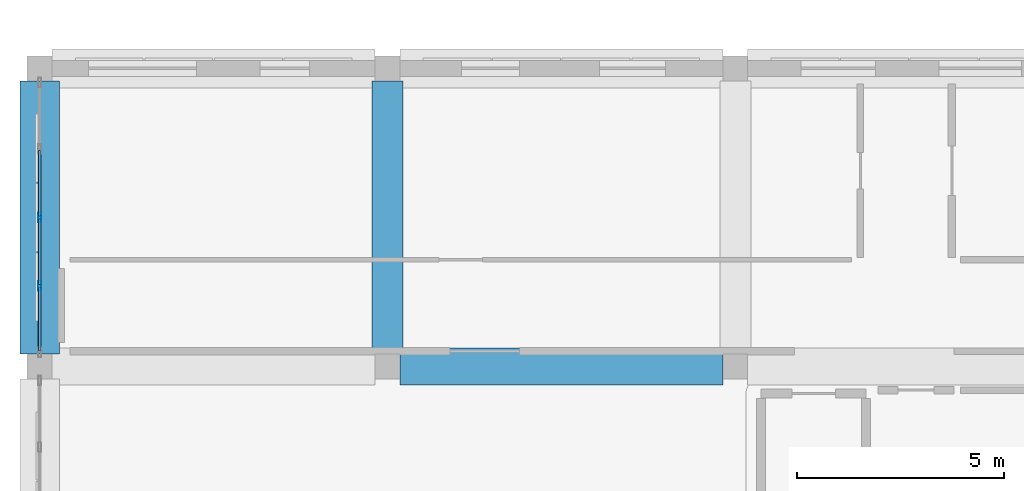
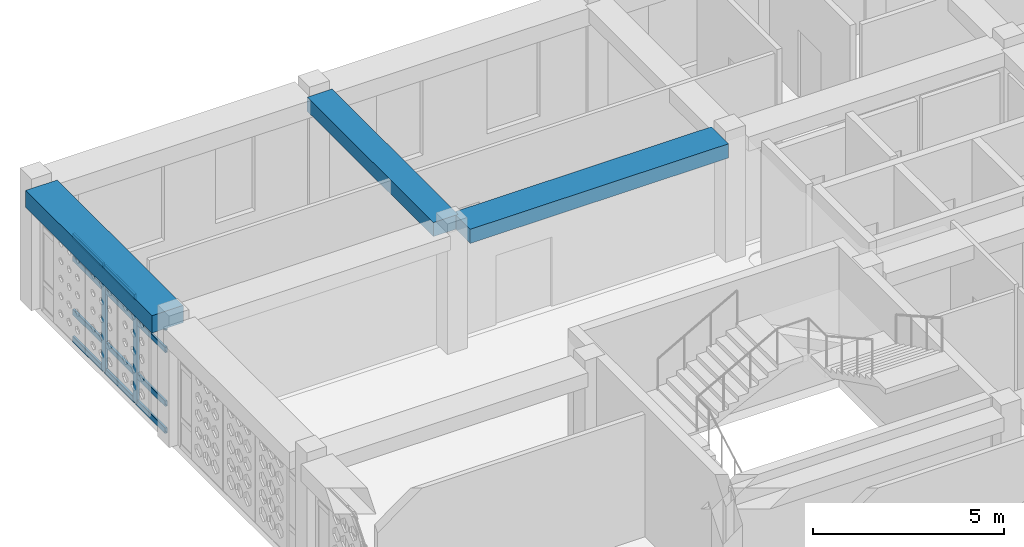
# One storey, part 10 of 48: 14 members, 3 beams, 1 element without a shape of its own.
"""IFC4 building model written with IfcOpenShell, lengths in metres."""

import ifcopenshell
import ifcopenshell.guid

model = None  # the IFC model being written
_history = None  # IfcOwnerHistory: only IFC2X3 demands one
_inside = {}  # id of a spatial element -> (the spatial element, [elements in it])
_under = {}  # id of a project, library or spatial element -> (it, [spatial elements below it])
_declared = {}  # id of a project -> (the project, [libraries it declares])
_typed = {}  # id of a type object -> (the type object, [elements of that type])
_made_of = {}  # id of a material, layer set ... -> (it, [elements and type objects made of it])


def new_model(schema):
    """Start an empty IFC model of exactly this schema.

    Asked for "IFC4X3", IfcOpenShell would pick the latest addendum, in which some entities
    have other attributes; the version numbers below select the first issue.
    IFC2X3 requires an IfcOwnerHistory on every rooted entity: one is made here for all.
    """
    global model, _history
    if schema == "IFC4X3":
        model = ifcopenshell.file(schema_version=(4, 3, 0, 0))
    else:
        model = ifcopenshell.file(schema=schema)
    _inside.clear()
    _under.clear()
    _declared.clear()
    _typed.clear()
    _made_of.clear()
    _history = None
    if model.schema == "IFC2X3":
        org = make("IfcOrganization", Name="unknown")
        user = make(
            "IfcPersonAndOrganization",
            ThePerson=make("IfcPerson", FamilyName="unknown"),
            TheOrganization=org,
        )
        app = make(
            "IfcApplication",
            ApplicationDeveloper=org,
            Version="unknown",
            ApplicationFullName="unknown",
            ApplicationIdentifier="unknown",
        )
        _history = make(
            "IfcOwnerHistory",
            OwningUser=user,
            OwningApplication=app,
            ChangeAction="ADDED",
            CreationDate=0,
        )
    return model


def make(cls, **values):
    """One entity of the class cls with the attributes given. An attribute that is None is left unset."""
    return model.create_entity(
        cls, **{name: value for name, value in values.items() if value is not None}
    )


def rooted(cls, **values):
    """An entity with a GlobalId (a new one), such as an element, a storey or a relation."""
    return make(cls, GlobalId=ifcopenshell.guid.new(), OwnerHistory=_history, **values)


def si_unit(unit_type, name, prefix=None):
    """IfcSIUnit, for example si_unit("LENGTHUNIT", "METRE", prefix="MILLI")."""
    return make("IfcSIUnit", UnitType=unit_type, Prefix=prefix, Name=name)


def derived_unit(unit_type, elements):
    """IfcDerivedUnit: a product of units, each with its exponent."""
    return make(
        "IfcDerivedUnit",
        Elements=[
            make("IfcDerivedUnitElement", Unit=unit, Exponent=power)
            for unit, power in elements
        ],
        UnitType=unit_type,
    )


def assignment(units):
    """IfcUnitAssignment: the units of a project."""
    return None if units is None else make("IfcUnitAssignment", Units=units)


def point(xyz):
    """IfcCartesianPoint."""
    return None if xyz is None else make("IfcCartesianPoint", Coordinates=xyz)


def direction(xyz):
    """IfcDirection."""
    return None if xyz is None else make("IfcDirection", DirectionRatios=xyz)


def frame(location, z_axis=None, x_axis=None):
    """IfcAxis2Placement3D, a coordinate frame: its origin and axes. An axis left out is left unset."""
    return make(
        "IfcAxis2Placement3D",
        Location=point(location),
        Axis=direction(z_axis),
        RefDirection=direction(x_axis),
    )


def frame_2d(location, x_axis=None):
    """IfcAxis2Placement2D, a coordinate frame in the plane: its origin and x axis."""
    return make(
        "IfcAxis2Placement2D", Location=point(location), RefDirection=direction(x_axis)
    )


def origin():
    """The frame at (0, 0, 0) with its axes left unset."""
    return frame((0.0, 0.0, 0.0))


def origin_2d():
    """The frame at (0, 0) in the plane with its x axis left unset."""
    return frame_2d((0.0, 0.0))


def place(relative_to, where):
    """IfcLocalPlacement: puts the frame where relative to a parent placement (None: the world)."""
    return make(
        "IfcLocalPlacement", PlacementRelTo=relative_to, RelativePlacement=where
    )


def context(
    kind, dimensions, precision=None, world=None, true_north=None, identifier=None
):
    """IfcGeometricRepresentationContext, for example the 3D "Model" context."""
    return make(
        "IfcGeometricRepresentationContext",
        ContextIdentifier=identifier,
        ContextType=kind,
        CoordinateSpaceDimension=dimensions,
        Precision=precision,
        WorldCoordinateSystem=world,
        TrueNorth=true_north,
    )


def subcontext(parent, identifier, kind, view, scale=None):
    """IfcGeometricRepresentationSubContext, for example "Body" below "Model"."""
    return make(
        "IfcGeometricRepresentationSubContext",
        ContextIdentifier=identifier,
        ContextType=kind,
        ParentContext=parent,
        TargetScale=scale,
        TargetView=view,
    )


def project(units=None, contexts=None):
    """IfcProject with its units and contexts."""
    return rooted(
        "IfcProject",
        Name="project",
        RepresentationContexts=contexts,
        UnitsInContext=assignment(units),
    )


def spatial(cls, under=None, at=None, **own):
    """A site, building, storey or space (cls), placed at a placement, below another one or the project."""
    s = rooted(cls, ObjectPlacement=at, **own)
    if under is not None:
        _under.setdefault(under.id(), (under, []))[1].append(s)
    return s


def profile(cls, at=None, kind="AREA", **sizes):
    """A parametric profile (cls). Its sizes go by their IFC names, for example OverallWidth=200.0."""
    return make(cls, ProfileType=kind, Position=at, **sizes)


def rectangle(**sizes):
    """IfcRectangleProfileDef."""
    return profile("IfcRectangleProfileDef", **sizes)


def hollow_rectangle(**sizes):
    """IfcRectangleHollowProfileDef."""
    return profile("IfcRectangleHollowProfileDef", **sizes)


def extrude(swept, where, along, depth):
    """IfcExtrudedAreaSolid: the profile swept, set in the frame where, extruded along a direction by depth."""
    return make(
        "IfcExtrudedAreaSolid",
        SweptArea=swept,
        Position=where,
        ExtrudedDirection=direction(along),
        Depth=depth,
    )


def shape(context_of_items, identifier, shape_type, items):
    """IfcShapeRepresentation: the items that make up one representation, for example the "Body"."""
    return make(
        "IfcShapeRepresentation",
        ContextOfItems=context_of_items,
        RepresentationIdentifier=identifier,
        RepresentationType=shape_type,
        Items=items,
    )


def material(Name=None, Category=None):
    """IfcMaterial."""
    return make("IfcMaterial", Name=Name, Category=Category)


def material_profile(
    of_material, cross_section, Name=None, Category=None, Priority=None
):
    """IfcMaterialProfile: a cross section and its material."""
    return make(
        "IfcMaterialProfile",
        Name=Name,
        Material=of_material,
        Profile=cross_section,
        Priority=Priority,
        Category=Category,
    )


def profile_set(profiles, Name=None, composite=None):
    """IfcMaterialProfileSet."""
    return make(
        "IfcMaterialProfileSet",
        Name=Name,
        MaterialProfiles=profiles,
        CompositeProfile=composite,
    )


def made_of(thing, what):
    """Note that an element or type object is made of a material, layer set ...; save() writes the relation."""
    if what is not None:
        _made_of.setdefault(what.id(), (what, []))[1].append(thing)
    return thing


def type_object(cls, material=None, **own):
    """A type object (cls), such as IfcWallType, which elements share."""
    return made_of(rooted(cls, **own), material)


def element(
    cls,
    number,
    at=None,
    inside=None,
    cuts=None,
    type_object=None,
    material=None,
    context=None,
    identifier="Body",
    shape_type=None,
    held_by="IfcProductDefinitionShape",
    body=None,
    shapes=None,
    **own,
):
    """One element of the class cls, such as IfcWall. Its Tag is "e" and its number.

    at: its placement. inside: the storey or other place that contains it. cuts: it is an
    opening in that element (IfcRelVoidsElement). A single representation is given by context,
    identifier, shape_type and body (its items); several are given by shapes. held_by: the class
    of the entity that holds the representations. save() writes the other relations.
    """
    e = rooted(cls, Tag="e%d" % number, ObjectPlacement=at, **own)
    if body is not None:
        shapes = [shape(context, identifier, shape_type, body)]
    if shapes is not None:
        e.Representation = make(held_by, Representations=shapes)
    if inside is not None:
        _inside.setdefault(inside.id(), (inside, []))[1].append(e)
    if cuts is not None:
        rooted(
            "IfcRelVoidsElement", RelatingBuildingElement=cuts, RelatedOpeningElement=e
        )
    if type_object is not None:
        _typed.setdefault(type_object.id(), (type_object, []))[1].append(e)
    return made_of(e, material)


def aggregate(whole, parts):
    """IfcRelAggregates: a whole, such as a stair, and the parts it consists of."""
    return rooted("IfcRelAggregates", RelatingObject=whole, RelatedObjects=parts)


def save(model, path):
    """Write the relations noted so far, then the file.

    IfcRelAggregates (storeys below a building ...), IfcRelContainedInSpatialStructure (elements
    in a storey), IfcRelDefinesByType, IfcRelAssociatesMaterial and IfcRelDeclares: one each for
    every whole, place, type object, material and project.
    """
    for whole, parts in _under.values():
        aggregate(whole, parts)
    for where, things in _inside.values():
        rooted(
            "IfcRelContainedInSpatialStructure",
            RelatedElements=things,
            RelatingStructure=where,
        )
    for kind, things in _typed.values():
        rooted("IfcRelDefinesByType", RelatedObjects=things, RelatingType=kind)
    for what, things in _made_of.values():
        rooted("IfcRelAssociatesMaterial", RelatedObjects=things, RelatingMaterial=what)
    for by, libraries in _declared.values():
        rooted("IfcRelDeclares", RelatingContext=by, RelatedDefinitions=libraries)
    model.write(path)


model = new_model("IFC4")

# Units and contexts
model_context = context("Model", 3, precision=1e-05, world=origin(), true_north=direction((0.0, 1.0)))
body_context = subcontext(model_context, "Body", "Model", "MODEL_VIEW")
ifc_project = project(units=[si_unit("LENGTHUNIT", "METRE"), si_unit("AREAUNIT", "SQUARE_METRE"), si_unit("VOLUMEUNIT", "CUBIC_METRE"), si_unit("PLANEANGLEUNIT", "RADIAN"), si_unit("MASSUNIT", "GRAM", prefix="KILO"), derived_unit("THERMALTRANSMITTANCEUNIT", [(si_unit("POWERUNIT", "WATT"), 1), (si_unit("LENGTHUNIT", "METRE"), -2), (si_unit("THERMODYNAMICTEMPERATUREUNIT", "KELVIN"), -1)])], contexts=[model_context])

# Site, building, storey
site_placement = place(None, origin())
site = spatial("IfcSite", under=ifc_project, at=site_placement, CompositionType="ELEMENT")
building_placement = place(site_placement, origin())
building = spatial("IfcBuilding", under=site, at=building_placement, Name="Veybourne Emporium", CompositionType="ELEMENT")
storey_placement = place(building_placement, frame((0.0, 0.0, 27.89990234375)))
storey = spatial("IfcBuildingStorey", under=building, at=storey_placement, Name="L06", CompositionType="ELEMENT", Elevation=27.89990234375)

# Curtain wall, members
ifc_material_1 = material(Name="Patinated Architectural Bronze", Category="bronze")
curtain_wall_type = type_object("IfcCurtainWallType", Name="CWSystem_CWS-14", PredefinedType="NOTDEFINED", material=ifc_material_1)
curtain_wall_placement = place(storey_placement, origin())
curtain_wall = element("IfcCurtainWall", 1, at=curtain_wall_placement, inside=storey, type_object=curtain_wall_type, Name="L06 bronze glazed curtain wall CWS-14 (007)", PredefinedType="NOTDEFINED")
ifc_material_profile_1 = material_profile(ifc_material_1, hollow_rectangle(XDim=0.074951171875, YDim=0.22998046875, WallThickness=0.0048828125, InnerFilletRadius=0.007568359375, OuterFilletRadius=0.012451171875, at=origin_2d()), Name="CWM 75x230x5")
ifc_profile_set_1 = profile_set([ifc_material_profile_1], Name="Patinated Architectural Bronze")
member_type_1 = type_object("IfcMemberType", Name="CWMullion_CW-M2", PredefinedType="MULLION", material=ifc_profile_set_1)
member_1_placement = place(storey_placement, frame((0.0, 45.14990234375, 0.0), z_axis=(0.0, 0.0, 1.0), x_axis=(-1.0, 0.0, 0.0)))
member_1 = element("IfcMember", 2, at=member_1_placement, type_object=member_type_1, Name="CWS-14 mullion 2", PredefinedType="MULLION", context=body_context, shape_type="SweptSolid", body=[
    extrude(hollow_rectangle(XDim=0.074951171875, YDim=0.22998046875, WallThickness=0.0048828125, InnerFilletRadius=0.007568359375, OuterFilletRadius=0.012451171875, at=origin_2d()), origin(), (0.0, 0.0, 1.0), 3.360107421875),
])
member_2_placement = place(storey_placement, frame((0.0, 46.800048828125, 0.0), z_axis=(0.0, 0.0, 1.0), x_axis=(-1.0, 0.0, 0.0)))
member_2 = element("IfcMember", 3, at=member_2_placement, type_object=member_type_1, Name="CWS-14 mullion 3", PredefinedType="MULLION", context=body_context, shape_type="SweptSolid", body=[
    extrude(hollow_rectangle(XDim=0.074951171875, YDim=0.22998046875, WallThickness=0.0048828125, InnerFilletRadius=0.007568359375, OuterFilletRadius=0.012451171875, at=origin_2d()), origin(), (0.0, 0.0, 1.0), 3.360107421875),
])
ifc_material_profile_2 = material_profile(ifc_material_1, hollow_rectangle(XDim=0.074951171875, YDim=0.179931640625, WallThickness=0.0048828125, InnerFilletRadius=0.007568359375, OuterFilletRadius=0.012451171875, at=origin_2d()), Name="CWT 75x180x5")
ifc_profile_set_2 = profile_set([ifc_material_profile_2], Name="Patinated Architectural Bronze")
member_type_2 = type_object("IfcMemberType", Name="CWTransom_CW-T2", PredefinedType="NOTDEFINED", material=ifc_profile_set_2)
member_3_placement = place(storey_placement, frame((0.0, 43.574951171875, 0.03759765625), z_axis=(0.0, 1.0, 0.0), x_axis=(-1.0, 0.0, 0.0)))
member_3 = element("IfcMember", 4, at=member_3_placement, type_object=member_type_2, Name="CWS-14 transom 1.1", ObjectType="TRANSOM", PredefinedType="USERDEFINED", context=body_context, shape_type="SweptSolid", body=[
    extrude(hollow_rectangle(XDim=0.074951171875, YDim=0.179931640625, WallThickness=0.0048828125, InnerFilletRadius=0.007568359375, OuterFilletRadius=0.012451171875, at=origin_2d()), origin(), (0.0, 0.0, 1.0), 1.53759765625),
])
member_4_placement = place(storey_placement, frame((0.0, 43.574951171875, 0.900146484375), z_axis=(0.0, 1.0, 0.0), x_axis=(-1.0, 0.0, 0.0)))
member_4 = element("IfcMember", 5, at=member_4_placement, type_object=member_type_2, Name="CWS-14 transom 1.2", ObjectType="TRANSOM", PredefinedType="USERDEFINED", context=body_context, shape_type="SweptSolid", body=[
    extrude(hollow_rectangle(XDim=0.074951171875, YDim=0.179931640625, WallThickness=0.0048828125, InnerFilletRadius=0.007568359375, OuterFilletRadius=0.012451171875, at=origin_2d()), origin(), (0.0, 0.0, 1.0), 1.53759765625),
])
member_5_placement = place(storey_placement, frame((0.0, 43.574951171875, 2.610107421875), z_axis=(0.0, 1.0, 0.0), x_axis=(-1.0, 0.0, 0.0)))
member_5 = element("IfcMember", 6, at=member_5_placement, type_object=member_type_2, Name="CWS-14 transom 1.3", ObjectType="TRANSOM", PredefinedType="USERDEFINED", context=body_context, shape_type="SweptSolid", body=[
    extrude(hollow_rectangle(XDim=0.074951171875, YDim=0.179931640625, WallThickness=0.0048828125, InnerFilletRadius=0.007568359375, OuterFilletRadius=0.012451171875, at=origin_2d()), origin(), (0.0, 0.0, 1.0), 1.53759765625),
])
member_6_placement = place(storey_placement, frame((0.0, 43.574951171875, 3.322509765625), z_axis=(0.0, 1.0, 0.0), x_axis=(-1.0, 0.0, 0.0)))
member_6 = element("IfcMember", 7, at=member_6_placement, type_object=member_type_2, Name="CWS-14 transom 1.4", ObjectType="TRANSOM", PredefinedType="USERDEFINED", context=body_context, shape_type="SweptSolid", body=[
    extrude(hollow_rectangle(XDim=0.074951171875, YDim=0.179931640625, WallThickness=0.0048828125, InnerFilletRadius=0.007568359375, OuterFilletRadius=0.012451171875, at=origin_2d()), origin(), (0.0, 0.0, 1.0), 1.53759765625),
])
member_7_placement = place(storey_placement, frame((0.0, 45.1875, 0.03759765625), z_axis=(0.0, 1.0, 0.0), x_axis=(-1.0, 0.0, 0.0)))
member_7 = element("IfcMember", 8, at=member_7_placement, type_object=member_type_2, Name="CWS-14 transom 2.1", ObjectType="TRANSOM", PredefinedType="USERDEFINED", context=body_context, shape_type="SweptSolid", body=[
    extrude(hollow_rectangle(XDim=0.074951171875, YDim=0.179931640625, WallThickness=0.0048828125, InnerFilletRadius=0.007568359375, OuterFilletRadius=0.012451171875, at=origin_2d()), origin(), (0.0, 0.0, 1.0), 1.574951171875),
])
member_8_placement = place(storey_placement, frame((0.0, 45.1875, 0.900146484375), z_axis=(0.0, 1.0, 0.0), x_axis=(-1.0, 0.0, 0.0)))
member_8 = element("IfcMember", 9, at=member_8_placement, type_object=member_type_2, Name="CWS-14 transom 2.2", ObjectType="TRANSOM", PredefinedType="USERDEFINED", context=body_context, shape_type="SweptSolid", body=[
    extrude(hollow_rectangle(XDim=0.074951171875, YDim=0.179931640625, WallThickness=0.0048828125, InnerFilletRadius=0.007568359375, OuterFilletRadius=0.012451171875, at=origin_2d()), origin(), (0.0, 0.0, 1.0), 1.574951171875),
])
member_9_placement = place(storey_placement, frame((0.0, 45.1875, 2.610107421875), z_axis=(0.0, 1.0, 0.0), x_axis=(-1.0, 0.0, 0.0)))
member_9 = element("IfcMember", 10, at=member_9_placement, type_object=member_type_2, Name="CWS-14 transom 2.3", ObjectType="TRANSOM", PredefinedType="USERDEFINED", context=body_context, shape_type="SweptSolid", body=[
    extrude(hollow_rectangle(XDim=0.074951171875, YDim=0.179931640625, WallThickness=0.0048828125, InnerFilletRadius=0.007568359375, OuterFilletRadius=0.012451171875, at=origin_2d()), origin(), (0.0, 0.0, 1.0), 1.574951171875),
])
member_10_placement = place(storey_placement, frame((0.0, 45.1875, 3.322509765625), z_axis=(0.0, 1.0, 0.0), x_axis=(-1.0, 0.0, 0.0)))
member_10 = element("IfcMember", 11, at=member_10_placement, type_object=member_type_2, Name="CWS-14 transom 2.4", ObjectType="TRANSOM", PredefinedType="USERDEFINED", context=body_context, shape_type="SweptSolid", body=[
    extrude(hollow_rectangle(XDim=0.074951171875, YDim=0.179931640625, WallThickness=0.0048828125, InnerFilletRadius=0.007568359375, OuterFilletRadius=0.012451171875, at=origin_2d()), origin(), (0.0, 0.0, 1.0), 1.574951171875),
])
member_11_placement = place(storey_placement, frame((0.0, 46.83740234375, 0.03759765625), z_axis=(0.0, 1.0, 0.0), x_axis=(-1.0, 0.0, 0.0)))
member_11 = element("IfcMember", 12, at=member_11_placement, type_object=member_type_2, Name="CWS-14 transom 3.1", ObjectType="TRANSOM", PredefinedType="USERDEFINED", context=body_context, shape_type="SweptSolid", body=[
    extrude(hollow_rectangle(XDim=0.074951171875, YDim=0.179931640625, WallThickness=0.0048828125, InnerFilletRadius=0.007568359375, OuterFilletRadius=0.012451171875, at=origin_2d()), origin(), (0.0, 0.0, 1.0), 1.5751953125),
])
member_12_placement = place(storey_placement, frame((0.0, 46.83740234375, 0.900146484375), z_axis=(0.0, 1.0, 0.0), x_axis=(-1.0, 0.0, 0.0)))
member_12 = element("IfcMember", 13, at=member_12_placement, type_object=member_type_2, Name="CWS-14 transom 3.2", ObjectType="TRANSOM", PredefinedType="USERDEFINED", context=body_context, shape_type="SweptSolid", body=[
    extrude(hollow_rectangle(XDim=0.074951171875, YDim=0.179931640625, WallThickness=0.0048828125, InnerFilletRadius=0.007568359375, OuterFilletRadius=0.012451171875, at=origin_2d()), origin(), (0.0, 0.0, 1.0), 1.5751953125),
])
member_13_placement = place(storey_placement, frame((0.0, 46.83740234375, 2.610107421875), z_axis=(0.0, 1.0, 0.0), x_axis=(-1.0, 0.0, 0.0)))
member_13 = element("IfcMember", 14, at=member_13_placement, type_object=member_type_2, Name="CWS-14 transom 3.3", ObjectType="TRANSOM", PredefinedType="USERDEFINED", context=body_context, shape_type="SweptSolid", body=[
    extrude(hollow_rectangle(XDim=0.074951171875, YDim=0.179931640625, WallThickness=0.0048828125, InnerFilletRadius=0.007568359375, OuterFilletRadius=0.012451171875, at=origin_2d()), origin(), (0.0, 0.0, 1.0), 1.5751953125),
])
member_14_placement = place(storey_placement, frame((0.0, 46.83740234375, 3.322509765625), z_axis=(0.0, 1.0, 0.0), x_axis=(-1.0, 0.0, 0.0)))
member_14 = element("IfcMember", 15, at=member_14_placement, type_object=member_type_2, Name="CWS-14 transom 3.4", ObjectType="TRANSOM", PredefinedType="USERDEFINED", context=body_context, shape_type="SweptSolid", body=[
    extrude(hollow_rectangle(XDim=0.074951171875, YDim=0.179931640625, WallThickness=0.0048828125, InnerFilletRadius=0.007568359375, OuterFilletRadius=0.012451171875, at=origin_2d()), origin(), (0.0, 0.0, 1.0), 1.5751953125),
])
aggregate(curtain_wall, [member_1, member_2, member_3, member_4, member_5, member_6, member_7, member_8, member_9, member_10, member_11, member_12, member_13, member_14])

# Beams
ifc_material_2 = material(Name="Concrete C32/40", Category="concrete")
ifc_material_profile_3 = material_profile(ifc_material_2, rectangle(XDim=0.89990234375, YDim=0.449951171875, at=origin_2d()), Name="RC 900x450")
ifc_profile_set_3 = profile_set([ifc_material_profile_3], Name="Concrete C32/40")
beam_type_1 = type_object("IfcBeamType", Name="RCBeam_BB-03", PredefinedType="BEAM", material=ifc_profile_set_3)
beam_1_placement = place(storey_placement, frame((8.699951171875, 43.199951171875, 3.68505859375), z_axis=(1.0, 0.0, 0.0), x_axis=(0.0, 1.0, 0.0)))
element("IfcBeam", 16, at=beam_1_placement, inside=storey, type_object=beam_type_1, Name="L06 X-grid beam BB-03 (1,6)", PredefinedType="BEAM", context=body_context, shape_type="SweptSolid", body=[
    extrude(rectangle(XDim=0.89990234375, YDim=0.449951171875, at=origin_2d()), origin(), (0.0, 0.0, 1.0), 7.800048828125),
])
ifc_material_profile_4 = material_profile(ifc_material_2, rectangle(XDim=0.75, YDim=0.449951171875, at=origin_2d()), Name="RC 750x450")
ifc_profile_set_4 = profile_set([ifc_material_profile_4], Name="Concrete C32/40")
beam_type_2 = type_object("IfcBeamType", Name="RCBeam_BB-04", PredefinedType="BEAM", material=ifc_profile_set_4)
beam_2_placement = place(storey_placement, frame((8.39990234375, 43.5, 3.68505859375), z_axis=(0.0, 1.0, 0.0), x_axis=(-1.0, 0.0, 0.0)))
element("IfcBeam", 17, at=beam_2_placement, inside=storey, type_object=beam_type_2, Name="L06 Y-grid beam BB-04 (1,6)", PredefinedType="BEAM", context=body_context, shape_type="SweptSolid", body=[
    extrude(rectangle(XDim=0.75, YDim=0.449951171875, at=origin_2d()), origin(), (0.0, 0.0, 1.0), 6.60009765625),
])
ifc_material_profile_5 = material_profile(ifc_material_2, rectangle(XDim=0.949951171875, YDim=0.550048828125, at=origin_2d()), Name="RC 950x550")
ifc_profile_set_5 = profile_set([ifc_material_profile_5], Name="Concrete C32/40")
beam_type_3 = type_object("IfcBeamType", Name="RCBeam_EB-01", PredefinedType="SPANDREL", material=ifc_profile_set_5)
beam_3_placement = place(storey_placement, frame((0.0, 43.5, 3.635009765625), z_axis=(0.0, 1.0, 0.0), x_axis=(-1.0, 0.0, 0.0)))
element("IfcBeam", 18, at=beam_3_placement, inside=storey, type_object=beam_type_3, Name="L06 Y-grid beam EB-01 (0,6)", PredefinedType="SPANDREL", context=body_context, shape_type="SweptSolid", body=[
    extrude(rectangle(XDim=0.949951171875, YDim=0.550048828125, at=origin_2d()), origin(), (0.0, 0.0, 1.0), 6.60009765625),
])

save(model, "model.ifc")
